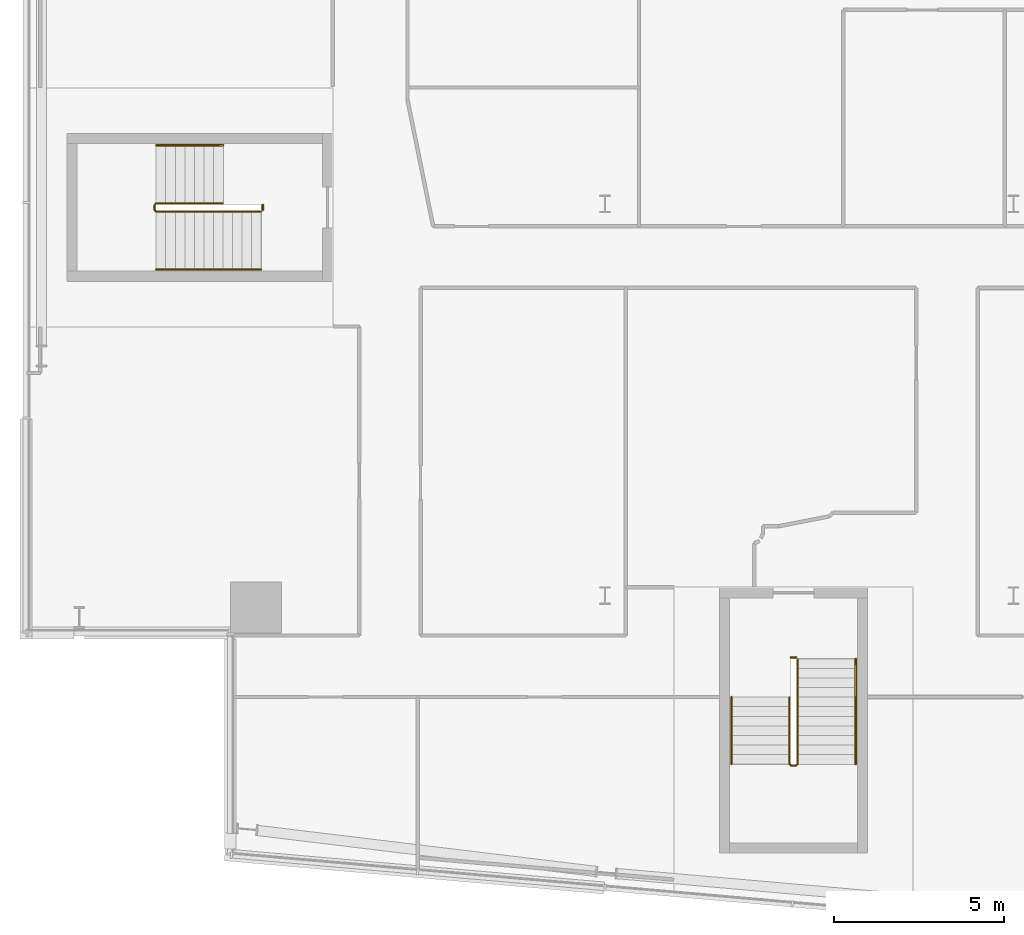
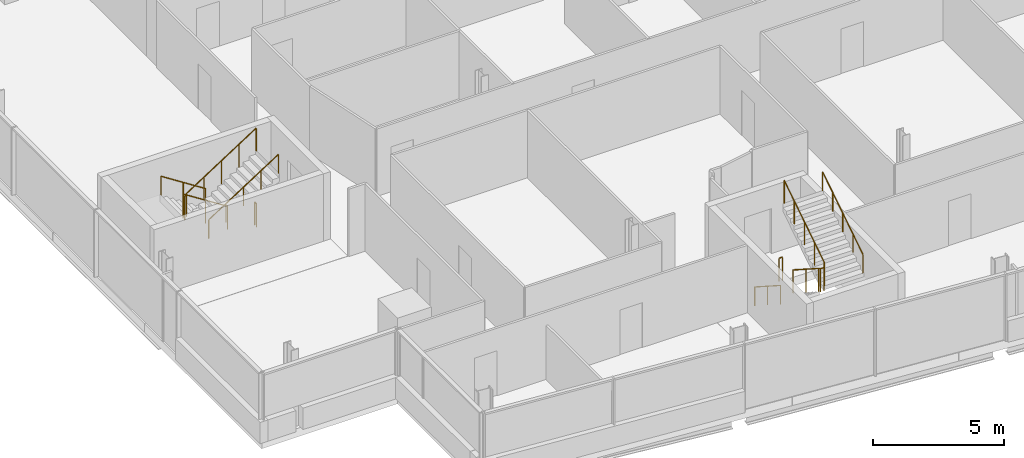
# One storey, part 22 of 24: 8 railings.
"""IFC4 building model written with IfcOpenShell, lengths in metres."""

from ifc_helpers import new_model, si_unit, direction, frame, origin, origin_2d, place, context, subcontext, project, spatial, circle, extrude, material, type_object, element, save


model = new_model("IFC4")

# Units and contexts
model_context = context("Model", 3, precision=1e-05, world=origin(), true_north=direction((0.0, 1.0)))
body_context = subcontext(model_context, "Body", "Model", "MODEL_VIEW")
ifc_project = project(units=[si_unit("LENGTHUNIT", "METRE"), si_unit("AREAUNIT", "SQUARE_METRE"), si_unit("VOLUMEUNIT", "CUBIC_METRE"), si_unit("PLANEANGLEUNIT", "RADIAN"), si_unit("MASSUNIT", "GRAM", prefix="KILO")], contexts=[model_context])

# Site, building, storey
site_placement = place(None, origin())
site = spatial("IfcSite", under=ifc_project, at=site_placement, CompositionType="ELEMENT")
building_placement = place(site_placement, origin())
building = spatial("IfcBuilding", under=site, at=building_placement, Name="Wharfspan Tower", CompositionType="ELEMENT")
storey_placement = place(building_placement, frame((0.0, 0.0, 198.699951)))
storey = spatial("IfcBuildingStorey", under=building, at=storey_placement, Name="L49", CompositionType="ELEMENT", Elevation=198.699951)

# Railings
ifc_material = material(Name="Steel S355J2", Category="steel")
railing_type_1 = type_object("IfcRailingType", Name="Stair guard 1100", PredefinedType="GUARDRAIL", material=ifc_material)
railing_1_placement = place(storey_placement, frame((12.780029, 23.024902, 0.179932)))
element("IfcRailing", 1, at=railing_1_placement, inside=storey, type_object=railing_type_1, Name="L49 ST3 stair guard 1", PredefinedType="GUARDRAIL", context=body_context, shape_type="SweptSolid", body=[
    extrude(circle(Radius=0.023926, at=origin_2d()), frame((0.0, 0.0, 1.076172), z_axis=(-0.841172, 0.0, 0.540768), x_axis=(0.0, -1.0, 0.0)), (0.0, 0.0, 1.0), 2.330078),
    extrude(circle(Radius=0.023926, at=origin_2d()), frame((-1.959961, 0.0, 2.335938), z_axis=(-0.708834, -0.705376, 0.0), x_axis=(0.705376, -0.708834, 0.0)), (0.0, 0.0, 1.0), 0.070557),
    extrude(circle(Radius=0.023926, at=origin_2d()), frame((-2.01001, -0.049805, 2.335938), z_axis=(0.0, -1.0, 0.0), x_axis=(1.0, 0.0, 0.0)), (0.0, 0.0, 1.0), 0.150146),
    extrude(circle(Radius=0.023926, at=origin_2d()), frame((-2.01001, -0.199951, 2.335938), z_axis=(0.258544, -0.258544, 0.930758), x_axis=(0.707107, 0.707107, 0.0)), (0.0, 0.0, 1.0), 0.193604),
    extrude(circle(Radius=0.023926, at=origin_2d()), frame((-1.959961, -0.25, 2.516113), z_axis=(0.841168, 0.0, 0.540774), x_axis=(0.0, 1.0, 0.0)), (0.0, 0.0, 1.0), 3.661377),
    extrude(circle(Radius=0.020996, at=origin_2d()), origin(), (0.0, 0.0, 1.0), 1.052002),
    extrude(circle(Radius=0.020996, at=origin_2d()), frame((-0.97998, 0.0, 0.629883)), (0.0, 0.0, 1.0), 1.052002),
    extrude(circle(Radius=0.020996, at=origin_2d()), frame((-1.959961, 0.0, 1.26001)), (0.0, 0.0, 1.0), 1.052002),
    extrude(circle(Radius=0.020996, at=origin_2d()), frame((-2.01001, -0.049805, 1.26001)), (0.0, 0.0, 1.0), 1.052002),
    extrude(circle(Radius=0.020996, at=origin_2d()), frame((-2.01001, -0.199951, 1.26001)), (0.0, 0.0, 1.0), 1.052002),
    extrude(circle(Radius=0.020996, at=origin_2d()), frame((-1.959961, -0.25, 1.440186)), (0.0, 0.0, 1.0), 1.052002),
    extrude(circle(Radius=0.020996, at=origin_2d()), frame((-1.189941, -0.25, 1.935059)), (0.0, 0.0, 1.0), 1.052002),
    extrude(circle(Radius=0.020996, at=origin_2d()), frame((-0.419922, -0.25, 2.430176)), (0.0, 0.0, 1.0), 1.052002),
    extrude(circle(Radius=0.020996, at=origin_2d()), frame((0.349854, -0.25, 2.925293)), (0.0, 0.0, 1.0), 1.052002),
    extrude(circle(Radius=0.020996, at=origin_2d()), frame((1.119873, -0.25, 3.420166)), (0.0, 0.0, 1.0), 1.052002),
])
railing_2_placement = place(storey_placement, frame((13.949951, 22.975098, 0.0)))
element("IfcRailing", 2, at=railing_2_placement, inside=storey, type_object=railing_type_1, Name="L49 ST3 stair guard 2", PredefinedType="GUARDRAIL", context=body_context, shape_type="SweptSolid", body=[
    extrude(circle(Radius=0.023926, at=origin_2d()), frame((0.0, 0.0, 1.076172), z_axis=(0.0, -1.0, 0.0), x_axis=(1.0, 0.0, 0.0)), (0.0, 0.0, 1.0), 0.150146),
    extrude(circle(Radius=0.020996, at=origin_2d()), origin(), (0.0, 0.0, 1.0), 1.052002),
    extrude(circle(Radius=0.020996, at=origin_2d()), frame((0.0, -0.150146, 0.0)), (0.0, 0.0, 1.0), 1.052002),
])
railing_3_placement = place(storey_placement, frame((29.414307, 8.514404, 0.179932)))
element("IfcRailing", 3, at=railing_3_placement, inside=storey, type_object=railing_type_1, Name="L49 ST4 stair guard 1", PredefinedType="GUARDRAIL", context=body_context, shape_type="SweptSolid", body=[
    extrude(circle(Radius=0.023926, at=origin_2d()), frame((0.0, 0.0, 1.076172), z_axis=(0.0, -0.841202, 0.540721), x_axis=(1.0, 0.0, 0.0)), (0.0, 0.0, 1.0), 2.330322),
    extrude(circle(Radius=0.023926, at=origin_2d()), frame((0.0, -1.960205, 2.335938), z_axis=(0.707107, -0.707107, 0.0), x_axis=(0.707107, 0.707107, 0.0)), (0.0, 0.0, 1.0), 0.070312),
    extrude(circle(Radius=0.023926, at=origin_2d()), frame((0.049805, -2.01001, 2.335938), z_axis=(1.0, 0.0, 0.0), x_axis=(0.0, 1.0, 0.0)), (0.0, 0.0, 1.0), 0.150146),
    extrude(circle(Radius=0.023926, at=origin_2d()), frame((0.199951, -2.01001, 2.335938), z_axis=(0.258628, 0.257366, 0.931061), x_axis=(-0.705372, 0.708838, -2e-06)), (0.0, 0.0, 1.0), 0.193604),
    extrude(circle(Radius=0.023926, at=origin_2d()), frame((0.25, -1.960205, 2.516113), z_axis=(0.0, 0.841187, 0.540744), x_axis=(-1.0, 0.0, 0.0)), (0.0, 0.0, 1.0), 3.661621),
    extrude(circle(Radius=0.020996, at=origin_2d()), origin(), (0.0, 0.0, 1.0), 1.052002),
    extrude(circle(Radius=0.020996, at=origin_2d()), frame((0.0, -0.97998, 0.629883)), (0.0, 0.0, 1.0), 1.052002),
    extrude(circle(Radius=0.020996, at=origin_2d()), frame((0.0, -1.960205, 1.26001)), (0.0, 0.0, 1.0), 1.052002),
    extrude(circle(Radius=0.020996, at=origin_2d()), frame((0.049805, -2.01001, 1.26001)), (0.0, 0.0, 1.0), 1.052002),
    extrude(circle(Radius=0.020996, at=origin_2d()), frame((0.199951, -2.01001, 1.26001)), (0.0, 0.0, 1.0), 1.052002),
    extrude(circle(Radius=0.020996, at=origin_2d()), frame((0.25, -1.960205, 1.440186)), (0.0, 0.0, 1.0), 1.052002),
    extrude(circle(Radius=0.020996, at=origin_2d()), frame((0.25, -1.190186, 1.935059)), (0.0, 0.0, 1.0), 1.052002),
    extrude(circle(Radius=0.020996, at=origin_2d()), frame((0.25, -0.420166, 2.430176)), (0.0, 0.0, 1.0), 1.052002),
    extrude(circle(Radius=0.020996, at=origin_2d()), frame((0.25, 0.349854, 2.925293)), (0.0, 0.0, 1.0), 1.052002),
    extrude(circle(Radius=0.020996, at=origin_2d()), frame((0.25, 1.119873, 3.420166)), (0.0, 0.0, 1.0), 1.052002),
])
railing_4_placement = place(storey_placement, frame((29.464111, 9.684326, 0.0)))
element("IfcRailing", 4, at=railing_4_placement, inside=storey, type_object=railing_type_1, Name="L49 ST4 stair guard 2", PredefinedType="GUARDRAIL", context=body_context, shape_type="SweptSolid", body=[
    extrude(circle(Radius=0.023926, at=origin_2d()), frame((0.0, 0.0, 1.076172), z_axis=(1.0, 0.0, 0.0), x_axis=(0.0, 1.0, 0.0)), (0.0, 0.0, 1.0), 0.150146),
    extrude(circle(Radius=0.020996, at=origin_2d()), origin(), (0.0, 0.0, 1.0), 1.052002),
    extrude(circle(Radius=0.020996, at=origin_2d()), frame((0.150146, 0.0, 0.0)), (0.0, 0.0, 1.0), 1.052002),
])
railing_type_2 = type_object("IfcRailingType", Name="Stair handrail 900", PredefinedType="HANDRAIL", material=ifc_material)
railing_5_placement = place(storey_placement, frame((12.780029, 24.725098, 0.179932)))
element("IfcRailing", 5, at=railing_5_placement, inside=storey, type_object=railing_type_2, Name="L49 ST3 stair handrail 1", PredefinedType="HANDRAIL", context=body_context, shape_type="SweptSolid", body=[
    extrude(circle(Radius=0.023926, at=origin_2d()), frame((0.0, 0.0, 0.875977), z_axis=(-0.841172, 0.0, 0.540768), x_axis=(0.0, -1.0, 0.0)), (0.0, 0.0, 1.0), 2.330078),
    extrude(circle(Radius=0.020996, at=origin_2d()), origin(), (0.0, 0.0, 1.0), 0.851807),
    extrude(circle(Radius=0.020996, at=origin_2d()), frame((-0.97998, 0.0, 0.629883)), (0.0, 0.0, 1.0), 0.851807),
    extrude(circle(Radius=0.020996, at=origin_2d()), frame((-1.959961, 0.0, 1.26001)), (0.0, 0.0, 1.0), 0.851807),
])
railing_6_placement = place(storey_placement, frame((10.820068, 21.074951, 1.620117)))
element("IfcRailing", 6, at=railing_6_placement, inside=storey, type_object=railing_type_2, Name="L49 ST3 stair handrail 2", PredefinedType="HANDRAIL", context=body_context, shape_type="SweptSolid", body=[
    extrude(circle(Radius=0.023926, at=origin_2d()), frame((0.0, 0.0, 0.875977), z_axis=(0.841168, 0.0, 0.540774), x_axis=(0.0, 1.0, 0.0)), (0.0, 0.0, 1.0), 3.661377),
    extrude(circle(Radius=0.020996, at=origin_2d()), origin(), (0.0, 0.0, 1.0), 0.851807),
    extrude(circle(Radius=0.020996, at=origin_2d()), frame((0.77002, 0.0, 0.495117)), (0.0, 0.0, 1.0), 0.851807),
    extrude(circle(Radius=0.020996, at=origin_2d()), frame((1.540039, 0.0, 0.98999)), (0.0, 0.0, 1.0), 0.851807),
    extrude(circle(Radius=0.020996, at=origin_2d()), frame((2.309814, 0.0, 1.484863)), (0.0, 0.0, 1.0), 0.851807),
    extrude(circle(Radius=0.020996, at=origin_2d()), frame((3.079834, 0.0, 1.97998)), (0.0, 0.0, 1.0), 0.851807),
])
railing_7_placement = place(storey_placement, frame((27.714111, 8.514404, 0.179932)))
element("IfcRailing", 7, at=railing_7_placement, inside=storey, type_object=railing_type_2, Name="L49 ST4 stair handrail 1", PredefinedType="HANDRAIL", context=body_context, shape_type="SweptSolid", body=[
    extrude(circle(Radius=0.023926, at=origin_2d()), frame((0.0, 0.0, 0.875977), z_axis=(0.0, -0.841202, 0.540721), x_axis=(1.0, 0.0, 0.0)), (0.0, 0.0, 1.0), 2.330322),
    extrude(circle(Radius=0.020996, at=origin_2d()), origin(), (0.0, 0.0, 1.0), 0.851807),
    extrude(circle(Radius=0.020996, at=origin_2d()), frame((0.0, -0.97998, 0.629883)), (0.0, 0.0, 1.0), 0.851807),
    extrude(circle(Radius=0.020996, at=origin_2d()), frame((0.0, -1.960205, 1.26001)), (0.0, 0.0, 1.0), 0.851807),
])
railing_8_placement = place(storey_placement, frame((31.364258, 6.554199, 1.620117)))
element("IfcRailing", 8, at=railing_8_placement, inside=storey, type_object=railing_type_2, Name="L49 ST4 stair handrail 2", PredefinedType="HANDRAIL", context=body_context, shape_type="SweptSolid", body=[
    extrude(circle(Radius=0.023926, at=origin_2d()), frame((0.0, 0.0, 0.875977), z_axis=(0.0, 0.841187, 0.540744), x_axis=(-1.0, 0.0, 0.0)), (0.0, 0.0, 1.0), 3.661621),
    extrude(circle(Radius=0.020996, at=origin_2d()), origin(), (0.0, 0.0, 1.0), 0.851807),
    extrude(circle(Radius=0.020996, at=origin_2d()), frame((0.0, 0.77002, 0.495117)), (0.0, 0.0, 1.0), 0.851807),
    extrude(circle(Radius=0.020996, at=origin_2d()), frame((0.0, 1.540039, 0.98999)), (0.0, 0.0, 1.0), 0.851807),
    extrude(circle(Radius=0.020996, at=origin_2d()), frame((0.0, 2.310059, 1.484863)), (0.0, 0.0, 1.0), 0.851807),
    extrude(circle(Radius=0.020996, at=origin_2d()), frame((0.0, 3.080078, 1.97998)), (0.0, 0.0, 1.0), 0.851807),
])

save(model, "model.ifc")
